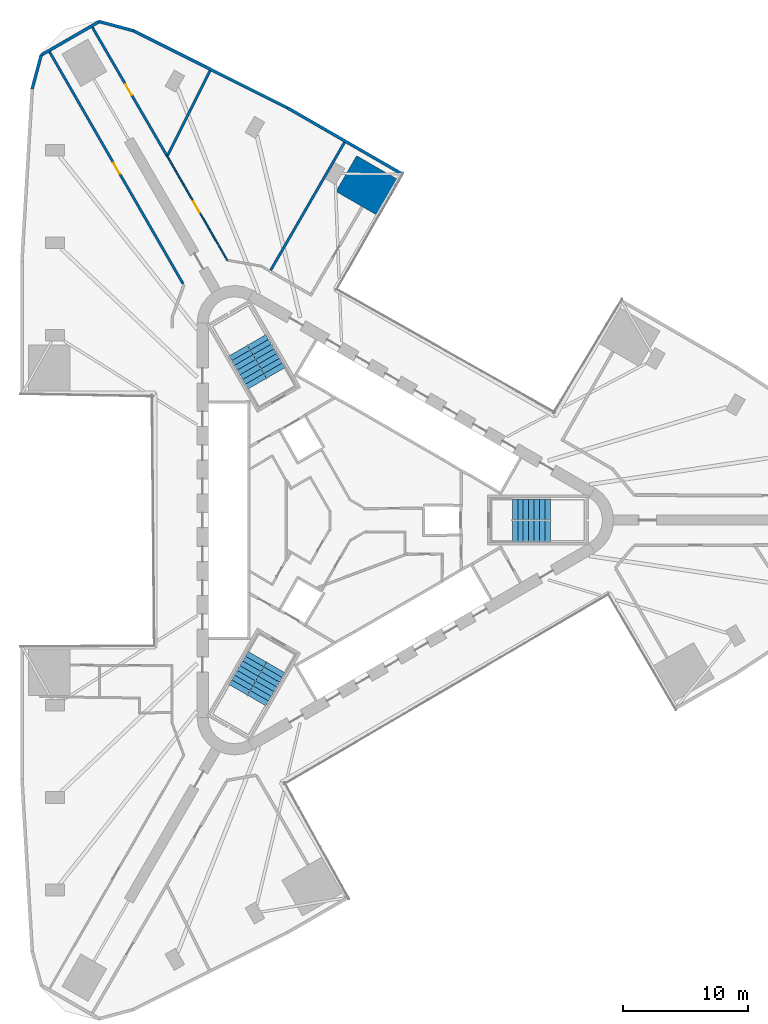
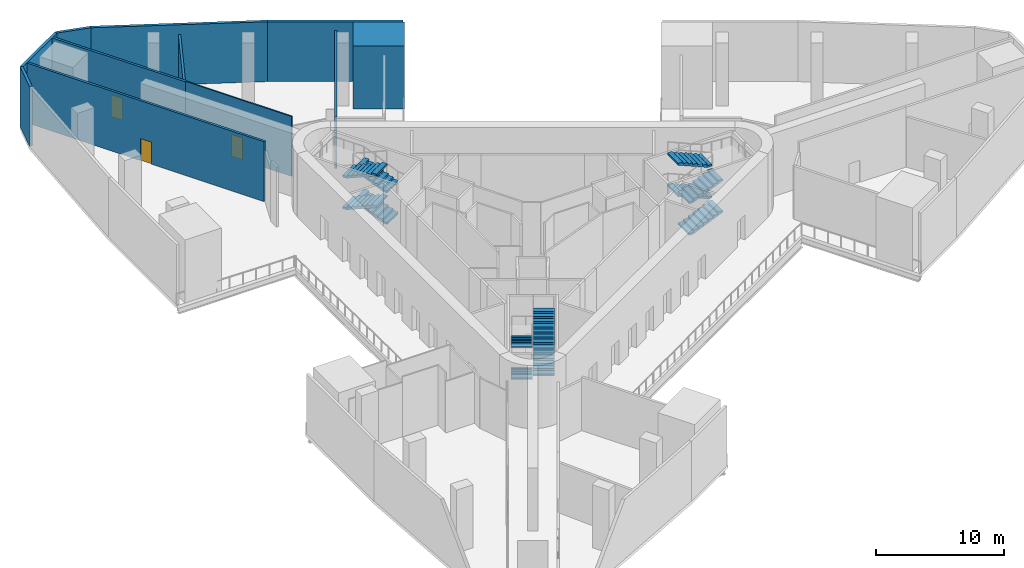
# One storey, part 8 of 11: 12 stair flights, 11 walls, 3 doors, 3 openings, 3 elements without a shape of their own.
"""IFC4 building model written with IfcOpenShell, lengths in metres."""

from ifc_helpers import new_model, si_unit, direction, frame, frame_2d, origin, place, context, subcontext, project, spatial, polyline, rectangle, outline, extrude, material, layer, layer_set, type_object, element, fill, aggregate, save


model = new_model("IFC4")

# Units and contexts
model_context = context("Model", 3, precision=1e-05, world=origin(), true_north=direction((0.0, 1.0)))
body_context = subcontext(model_context, "Body", "Model", "MODEL_VIEW")
ifc_project = project(units=[si_unit("LENGTHUNIT", "METRE"), si_unit("AREAUNIT", "SQUARE_METRE"), si_unit("VOLUMEUNIT", "CUBIC_METRE"), si_unit("PLANEANGLEUNIT", "RADIAN"), si_unit("MASSUNIT", "GRAM", prefix="KILO")], contexts=[model_context])

# Site, building, storey
site_placement = place(None, origin())
site = spatial("IfcSite", under=ifc_project, at=site_placement, CompositionType="ELEMENT")
building_placement = place(site_placement, origin())
building = spatial("IfcBuilding", under=site, at=building_placement, Name="Tanit Gate Tower", CompositionType="ELEMENT")
storey_placement = place(building_placement, frame((0.0, 0.0, 15.5)))
storey = spatial("IfcBuildingStorey", under=building, at=storey_placement, Name="L02", CompositionType="ELEMENT", Elevation=15.5)

# Walls
ifc_material_1 = material(Name="Concrete C30/37 with bronze anodised aluminium cladding", Category="concrete")
ifc_layer_1 = layer(ifc_material_1, 0.239990234375)
ifc_layer_set_1 = layer_set([ifc_layer_1], Name="Facade wall bronze clad 240")
wall_type_1 = type_object("IfcWallType", Name="Facade wall bronze clad 240", PredefinedType="SOLIDWALL", material=ifc_layer_set_1)
wall_1_placement = place(storey_placement, frame((4.2900390625, 27.669677734375, 0.0), z_axis=(0.0, 0.0, 1.0), x_axis=(-0.866062075984, 0.499936476508, 0.0)))
element("IfcWall", 1, at=wall_1_placement, inside=storey, type_object=wall_type_1, Name="Bronze-clad facade wall L02 NE2b", PredefinedType="SOLIDWALL", context=body_context, shape_type="SweptSolid", body=[
    extrude(rectangle(XDim=10.565673828125, YDim=0.239990234375, at=frame_2d((5.28271484375, 0.0))), origin(), (0.0, 0.0, 1.0), 5.699951171875),
])
wall_2_placement = place(storey_placement, frame((-4.860595703125, 32.951904296875, 0.0), z_axis=(0.0, 0.0, 1.0), x_axis=(-0.894285628533, 0.447496608478, 0.0)))
element("IfcWall", 2, at=wall_2_placement, inside=storey, type_object=wall_type_1, Name="Bronze-clad facade wall L02 NE3", PredefinedType="SOLIDWALL", context=body_context, shape_type="SweptSolid", body=[
    extrude(rectangle(XDim=13.80126953125, YDim=0.239990234375, at=frame_2d((6.900634765625, 0.0))), origin(), (0.0, 0.0, 1.0), 5.699951171875),
])
wall_3_placement = place(storey_placement, frame((-17.202880859375, 39.1279296875, 0.0), z_axis=(0.0, 0.0, 1.0), x_axis=(-0.965923146675, 0.25882904535, 0.0)))
element("IfcWall", 3, at=wall_3_placement, inside=storey, type_object=wall_type_1, Name="Bronze-clad facade wall L02 NW.arc1", PredefinedType="SOLIDWALL", context=body_context, shape_type="SweptSolid", body=[
    extrude(rectangle(XDim=2.800537109375, YDim=0.239990234375, at=frame_2d((1.400390625, 0.0))), origin(), (0.0, 0.0, 1.0), 5.699951171875),
])
wall_4_placement = place(storey_placement, frame((-19.907958984375, 39.852783203125, 0.0), z_axis=(0.0, 0.0, 1.0), x_axis=(-0.866010734295, -0.500025407441, 0.0)))
element("IfcWall", 4, at=wall_4_placement, inside=storey, type_object=wall_type_1, Name="Bronze-clad facade wall L02 NW.arc2", PredefinedType="SOLIDWALL", context=body_context, shape_type="SweptSolid", body=[
    extrude(rectangle(XDim=5.371337890625, YDim=0.239990234375, at=frame_2d((2.685546875, 0.0))), origin(), (0.0, 0.0, 1.0), 5.699951171875),
])
wall_5_placement = place(storey_placement, frame((-24.5595703125, 37.1669921875, 0.0), z_axis=(0.0, 0.0, 1.0), x_axis=(-0.258850842196, -0.965917305723, 0.0)))
element("IfcWall", 5, at=wall_5_placement, inside=storey, type_object=wall_type_1, Name="Bronze-clad facade wall L02 NW.arc3", PredefinedType="SOLIDWALL", context=body_context, shape_type="SweptSolid", body=[
    extrude(rectangle(XDim=2.80029296875, YDim=0.239990234375, at=frame_2d((1.400146484375, 0.0))), origin(), (0.0, 0.0, 1.0), 5.699951171875),
])

# Wall, opening, door
ifc_material_2 = material(Name="Fire-rated gypsum board partition")
ifc_layer_2 = layer(ifc_material_2, 0.199951171875)
ifc_layer_set_2 = layer_set([ifc_layer_2], Name="INT-WALL-COMPARTMENT")
wall_type_2 = type_object("IfcWallType", Name="INT-WALL-COMPARTMENT", PredefinedType="PARTITIONING", material=ifc_layer_set_2)
wall_6_placement = place(storey_placement, frame((-13.2216796875, 18.90087890625, 0.0), z_axis=(0.0, 0.0, 1.0), x_axis=(-0.498838585436, 0.866694909227, 0.0)))
wall_6 = element("IfcWall", 6, at=wall_6_placement, inside=storey, type_object=wall_type_2, Name="Wall Compartment W093", PredefinedType="PARTITIONING", context=body_context, shape_type="SweptSolid", body=[
    extrude(rectangle(XDim=21.367919921875, YDim=0.199951171875, at=frame_2d((10.68408203125, 0.0))), origin(), (0.0, 0.0, 1.0), 5.699951171875),
])
opening_1_placement = place(wall_6_placement, frame((10.134033203125, 0.0, 0.0)))
opening_1 = element("IfcOpeningElement", 7, at=opening_1_placement, cuts=wall_6, Name="Opening F10-02-16", PredefinedType="OPENING", context=body_context, shape_type="SweptSolid", body=[
    extrude(rectangle(XDim=1.0, YDim=2.10009765625, at=frame_2d((0.5, 1.050048828125))), frame((0.0, 0.10986328125, 0.0), z_axis=(0.0, -1.0, 0.0), x_axis=(1.0, 0.0, 0.0)), (0.0, 0.0, 1.0), 0.219970703125),
])
ifc_material_3 = material(Name="Fire-rated steel door leaf", Category="steel")
door_type_1 = type_object("IfcDoorType", Name="INT-DOOR-FIRE-1000", OperationType="NOTDEFINED", PredefinedType="USERDEFINED", material=ifc_material_3)
door_1_placement = place(opening_1_placement, origin())
door_1 = element("IfcDoor", 8, at=door_1_placement, inside=storey, type_object=door_type_1, Name="Door F10-02-16", ObjectType="FIRE DOOR", OperationType="SINGLE_SWING_RIGHT", OverallHeight=2.10009765625, OverallWidth=1.0, PredefinedType="USERDEFINED", context=body_context, shape_type="SweptSolid", body=[
    extrude(rectangle(XDim=1.0, YDim=2.10009765625, at=frame_2d((0.5, 1.050048828125))), frame((0.0, 0.02490234375, 0.0), z_axis=(0.0, -1.0, 0.0), x_axis=(1.0, 0.0, 0.0)), (0.0, 0.0, 1.0), 0.050048828125),
])
fill(opening_1, door_1)

wall_7_placement = place(storey_placement, frame((-20.46630859375, 39.391845703125, 0.0), z_axis=(0.0, 0.0, 1.0), x_axis=(0.502069597937, -0.86482721906, 0.0)))
wall_7 = element("IfcWall", 9, at=wall_7_placement, inside=storey, type_object=wall_type_2, Name="Wall Compartment W114", PredefinedType="PARTITIONING", context=body_context, shape_type="SweptSolid", body=[
    extrude(rectangle(XDim=11.972900390625, YDim=0.199951171875, at=frame_2d((5.986328125, 0.0))), origin(), (0.0, 0.0, 1.0), 5.699951171875),
])
opening_2_placement = place(wall_7_placement, frame((5.266845703125, 0.0, 0.0)))
opening_2 = element("IfcOpeningElement", 10, at=opening_2_placement, cuts=wall_7, Name="Opening F10-02-22", PredefinedType="OPENING", context=body_context, shape_type="SweptSolid", body=[
    extrude(rectangle(XDim=1.0, YDim=2.10009765625, at=frame_2d((0.5, 1.050048828125))), frame((0.0, 0.10986328125, 0.0), z_axis=(0.0, -1.0, 0.0), x_axis=(1.0, 0.0, 0.0)), (0.0, 0.0, 1.0), 0.219970703125),
])
door_2_placement = place(opening_2_placement, origin())
door_2 = element("IfcDoor", 11, at=door_2_placement, inside=storey, type_object=door_type_1, Name="Door F10-02-22", ObjectType="FIRE DOOR", OperationType="SINGLE_SWING_RIGHT", OverallHeight=2.10009765625, OverallWidth=1.0, PredefinedType="USERDEFINED", context=body_context, shape_type="SweptSolid", body=[
    extrude(rectangle(XDim=1.0, YDim=2.10009765625, at=frame_2d((0.5, 1.050048828125))), frame((0.0, 0.02490234375, 0.0), z_axis=(0.0, -1.0, 0.0), x_axis=(1.0, 0.0, 0.0)), (0.0, 0.0, 1.0), 0.050048828125),
])
fill(opening_2, door_2)

# Walls
wall_8_placement = place(storey_placement, frame((-6.212158203125, 19.9833984375, 0.0), z_axis=(0.0, 0.0, 1.0), x_axis=(0.499938894435, 0.866060680225, 0.0)))
element("IfcWall", 12, at=wall_8_placement, inside=storey, type_object=wall_type_2, Name="Wall Compartment W115", PredefinedType="PARTITIONING", context=body_context, shape_type="SweptSolid", body=[
    extrude(rectangle(XDim=11.7822265625, YDim=0.199951171875, at=frame_2d((5.89111328125, 0.0))), origin(), (0.0, 0.0, 1.0), 4.8798828125),
])
wall_9_placement = place(storey_placement, frame((-11.060791015625, 35.914794921875, 0.0), z_axis=(0.0, 0.0, 1.0), x_axis=(-0.448736604458, -0.893664064299, 0.0)))
element("IfcWall", 13, at=wall_9_placement, inside=storey, type_object=wall_type_2, Name="Wall Compartment W116", PredefinedType="PARTITIONING", context=body_context, shape_type="SweptSolid", body=[
    extrude(rectangle(XDim=7.56298828125, YDim=0.199951171875, at=frame_2d((3.781494140625, 0.0))), origin(), (0.0, 0.0, 1.0), 4.780029296875),
])

# Wall, opening, door
ifc_material_4 = material(Name="Gypsum board partition")
ifc_layer_3 = layer(ifc_material_4, 0.1201171875)
ifc_layer_set_3 = layer_set([ifc_layer_3], Name="INT-WALL-PARTITION")
wall_type_3 = type_object("IfcWallType", Name="INT-WALL-PARTITION", PredefinedType="PARTITIONING", material=ifc_layer_set_3)
wall_10_placement = place(storey_placement, frame((-14.455322265625, 29.037353515625, 0.0), z_axis=(0.0, 0.0, 1.0), x_axis=(0.500000422144, -0.866025160059, 0.0)))
wall_10 = element("IfcWall", 14, at=wall_10_placement, inside=storey, type_object=wall_type_3, Name="Wall Partition W111", PredefinedType="PARTITIONING", context=body_context, shape_type="SweptSolid", body=[
    extrude(rectangle(XDim=9.55419921875, YDim=0.1201171875, at=frame_2d((4.777099609375, 0.0))), origin(), (0.0, 0.0, 1.0), 5.699951171875),
])
opening_3_placement = place(wall_10_placement, frame((4.126708984375, 0.0, 0.0)))
opening_3 = element("IfcOpeningElement", 15, at=opening_3_placement, cuts=wall_10, Name="Opening D10-02-21", PredefinedType="OPENING", context=body_context, shape_type="SweptSolid", body=[
    extrude(rectangle(XDim=1.0, YDim=2.10009765625, at=frame_2d((0.5, 1.050048828125))), frame((0.0, 0.070068359375, 0.0), z_axis=(0.0, -1.0, 0.0), x_axis=(1.0, 0.0, 0.0)), (0.0, 0.0, 1.0), 0.14013671875),
])
ifc_material_5 = material(Name="Timber door leaf", Category="wood")
door_type_2 = type_object("IfcDoorType", Name="INT-DOOR-SINGLE-1000", OperationType="NOTDEFINED", PredefinedType="NOTDEFINED", material=ifc_material_5)
door_3_placement = place(opening_3_placement, origin())
door_3 = element("IfcDoor", 16, at=door_3_placement, inside=storey, type_object=door_type_2, Name="Door D10-02-21", OperationType="SINGLE_SWING_RIGHT", OverallHeight=2.10009765625, OverallWidth=1.0, PredefinedType="NOTDEFINED", context=body_context, shape_type="SweptSolid", body=[
    extrude(rectangle(XDim=1.0, YDim=2.10009765625, at=frame_2d((0.5, 1.050048828125))), frame((0.0, 0.02490234375, 0.0), z_axis=(0.0, -1.0, 0.0), x_axis=(1.0, 0.0, 0.0)), (0.0, 0.0, 1.0), 0.050048828125),
])
fill(opening_3, door_3)

# Wall
ifc_material_6 = material(Name="Concrete C60/75", Category="concrete")
ifc_layer_4 = layer(ifc_material_6, 4.0)
ifc_layer_set_4 = layer_set([ifc_layer_4], Name="PIER WALL 4000 C60/75")
wall_type_4 = type_object("IfcWallType", Name="PIER WALL 4000 C60/75", PredefinedType="SHEAR", material=ifc_layer_set_4)
wall_11_placement = place(storey_placement, origin())
element("IfcWall", 17, at=wall_11_placement, inside=storey, type_object=wall_type_4, Name="PIER WALL", PredefinedType="SHEAR", context=body_context, shape_type="SweptSolid", body=[
    extrude(outline(polyline([(4.116455078125, 27.1298828125), (0.65234375, 29.1298828125), (-0.99755859375, 26.27197265625), (2.466552734375, 24.27197265625), (4.116455078125, 27.1298828125)])), origin(), (0.0, 0.0, 1.0), 6.0),
])

# Stair, stair flights
ifc_material_7 = material(Name="Concrete C40/50", Category="concrete")
stair_type = type_object("IfcStairType", Name="INT-STAIR-EXIT", PredefinedType="HALF_TURN_STAIR", material=ifc_material_7)
stair_1_placement = place(storey_placement, origin())
stair_1 = element("IfcStair", 18, at=stair_1_placement, inside=storey, type_object=stair_type, Name="L02 STAIR S1", PredefinedType="HALF_TURN_STAIR")
ifc_material_8 = material(Name="Concrete C40/50", Category="concrete")
stair_flight_type = type_object("IfcStairFlightType", Name="INT-STAIR-FLIGHT", PredefinedType="STRAIGHT", material=ifc_material_8)
stair_flight_1_placement = place(storey_placement, frame((13.094970703125, -0.8525390625, 0.0), z_axis=(0.0, 0.0, 1.0), x_axis=(1.0, 0.0, 0.0)))
stair_flight_1 = element("IfcStairFlight", 19, at=stair_flight_1_placement, type_object=stair_flight_type, Name="S1 flight 1", NumberOfRisers=8, NumberOfTreads=7, PredefinedType="STRAIGHT", RiserHeight=0.1875, TreadLength=0.435857143, context=body_context, shape_type="SweptSolid", body=[
    extrude(outline(polyline([(0.0, 0.0), (0.0, 0.1875), (0.435791015625, 0.1875), (0.435791015625, 0.375), (0.871826171875, 0.375), (0.871826171875, 0.5625), (1.3076171875, 0.5625), (1.3076171875, 0.75), (1.743408203125, 0.75), (1.743408203125, 0.9375), (2.17919921875, 0.9375), (2.17919921875, 1.125), (2.615234375, 1.125), (2.615234375, 1.3125), (3.051025390625, 1.3125), (3.051025390625, 1.5), (3.051025390625, 1.1494140625), (0.37939453125, 0.0), (0.0, 0.0)])), frame((0.0, 0.84765625, 0.0), z_axis=(0.0, -1.0, 0.0), x_axis=(1.0, 0.0, 0.0)), (0.0, 0.0, 1.0), 1.695068359375),
])
stair_flight_2_placement = place(storey_placement, frame((16.14599609375, 0.8525390625, 1.5), z_axis=(0.0, 0.0, 1.0), x_axis=(-1.0, 0.0, 0.0)))
stair_flight_2 = element("IfcStairFlight", 20, at=stair_flight_2_placement, type_object=stair_flight_type, Name="S1 flight 2", NumberOfRisers=8, NumberOfTreads=7, PredefinedType="STRAIGHT", RiserHeight=0.1875, TreadLength=0.435857143, context=body_context, shape_type="SweptSolid", body=[
    extrude(outline(polyline([(0.0, 0.0), (0.0, 0.1875), (0.435791015625, 0.1875), (0.435791015625, 0.375), (0.871826171875, 0.375), (0.871826171875, 0.5625), (1.3076171875, 0.5625), (1.3076171875, 0.75), (1.743408203125, 0.75), (1.743408203125, 0.9375), (2.17919921875, 0.9375), (2.17919921875, 1.125), (2.615234375, 1.125), (2.615234375, 1.3125), (3.051025390625, 1.3125), (3.051025390625, 1.5), (3.051025390625, 1.1494140625), (0.37939453125, 0.0), (0.0, 0.0)])), frame((0.0, 0.84765625, 0.0), z_axis=(0.0, -1.0, 0.0), x_axis=(1.0, 0.0, 0.0)), (0.0, 0.0, 1.0), 1.695068359375),
])
stair_flight_3_placement = place(storey_placement, frame((13.094970703125, -0.8525390625, 3.0), z_axis=(0.0, 0.0, 1.0), x_axis=(1.0, 0.0, 0.0)))
stair_flight_3 = element("IfcStairFlight", 21, at=stair_flight_3_placement, type_object=stair_flight_type, Name="S1 flight 3", NumberOfRisers=8, NumberOfTreads=7, PredefinedType="STRAIGHT", RiserHeight=0.1875, TreadLength=0.435857143, context=body_context, shape_type="SweptSolid", body=[
    extrude(outline(polyline([(0.0, 0.0), (0.0, 0.1875), (0.435791015625, 0.1875), (0.435791015625, 0.375), (0.871826171875, 0.375), (0.871826171875, 0.5625), (1.3076171875, 0.5625), (1.3076171875, 0.75), (1.743408203125, 0.75), (1.743408203125, 0.9375), (2.17919921875, 0.9375), (2.17919921875, 1.125), (2.615234375, 1.125), (2.615234375, 1.3125), (3.051025390625, 1.3125), (3.051025390625, 1.5), (3.051025390625, 1.1494140625), (0.37939453125, 0.0), (0.0, 0.0)])), frame((0.0, 0.84765625, 0.0), z_axis=(0.0, -1.0, 0.0), x_axis=(1.0, 0.0, 0.0)), (0.0, 0.0, 1.0), 1.695068359375),
])
stair_flight_4_placement = place(storey_placement, frame((16.14599609375, 0.8525390625, 4.5), z_axis=(0.0, 0.0, 1.0), x_axis=(-1.0, 0.0, 0.0)))
stair_flight_4 = element("IfcStairFlight", 22, at=stair_flight_4_placement, type_object=stair_flight_type, Name="S1 flight 4", NumberOfRisers=8, NumberOfTreads=7, PredefinedType="STRAIGHT", RiserHeight=0.1875, TreadLength=0.435857143, context=body_context, shape_type="SweptSolid", body=[
    extrude(outline(polyline([(0.0, 0.0), (0.0, 0.1875), (0.435791015625, 0.1875), (0.435791015625, 0.375), (0.871826171875, 0.375), (0.871826171875, 0.5625), (1.3076171875, 0.5625), (1.3076171875, 0.75), (1.743408203125, 0.75), (1.743408203125, 0.9375), (2.17919921875, 0.9375), (2.17919921875, 1.125), (2.615234375, 1.125), (2.615234375, 1.3125), (3.051025390625, 1.3125), (3.051025390625, 1.5), (3.051025390625, 1.1494140625), (0.37939453125, 0.0), (0.0, 0.0)])), frame((0.0, 0.84765625, 0.0), z_axis=(0.0, -1.0, 0.0), x_axis=(1.0, 0.0, 0.0)), (0.0, 0.0, 1.0), 1.695068359375),
])
aggregate(stair_1, [stair_flight_1, stair_flight_2, stair_flight_3, stair_flight_4])

stair_2_placement = place(storey_placement, origin())
stair_2 = element("IfcStair", 23, at=stair_2_placement, inside=storey, type_object=stair_type, Name="L02 STAIR S2", PredefinedType="HALF_TURN_STAIR")
stair_flight_5_placement = place(storey_placement, frame((-5.808349609375, 11.766357421875, 0.0), z_axis=(0.0, 0.0, 1.0), x_axis=(-0.5, 0.866025403784, 0.0)))
stair_flight_5 = element("IfcStairFlight", 24, at=stair_flight_5_placement, type_object=stair_flight_type, Name="S2 flight 1", NumberOfRisers=8, NumberOfTreads=7, PredefinedType="STRAIGHT", RiserHeight=0.1875, TreadLength=0.4356, context=body_context, shape_type="SweptSolid", body=[
    extrude(outline(polyline([(0.0, 0.0), (0.0, 0.1875), (0.435546875, 0.1875), (0.435546875, 0.375), (0.87109375, 0.375), (0.87109375, 0.5625), (1.306884765625, 0.5625), (1.306884765625, 0.75), (1.742431640625, 0.75), (1.742431640625, 0.9375), (2.177978515625, 0.9375), (2.177978515625, 1.125), (2.613525390625, 1.125), (2.613525390625, 1.3125), (3.04931640625, 1.3125), (3.04931640625, 1.5), (3.04931640625, 1.1494140625), (0.379150390625, 0.0), (0.0, 0.0)])), frame((0.0, 0.84716796875, 0.0), z_axis=(0.0, -1.0, 0.0), x_axis=(1.0, 0.0, 0.0)), (0.0, 0.0, 1.0), 1.694091796875),
])
stair_flight_6_placement = place(storey_placement, frame((-8.810302734375, 13.553955078125, 1.5), z_axis=(0.0, 0.0, 1.0), x_axis=(0.5, -0.866025403784, 0.0)))
stair_flight_6 = element("IfcStairFlight", 25, at=stair_flight_6_placement, type_object=stair_flight_type, Name="S2 flight 2", NumberOfRisers=8, NumberOfTreads=7, PredefinedType="STRAIGHT", RiserHeight=0.1875, TreadLength=0.4356, context=body_context, shape_type="SweptSolid", body=[
    extrude(outline(polyline([(0.0, 0.0), (0.0, 0.1875), (0.435546875, 0.1875), (0.435546875, 0.375), (0.87109375, 0.375), (0.87109375, 0.5625), (1.306884765625, 0.5625), (1.306884765625, 0.75), (1.742431640625, 0.75), (1.742431640625, 0.9375), (2.177978515625, 0.9375), (2.177978515625, 1.125), (2.613525390625, 1.125), (2.613525390625, 1.3125), (3.04931640625, 1.3125), (3.04931640625, 1.5), (3.04931640625, 1.1494140625), (0.379150390625, 0.0), (0.0, 0.0)])), frame((0.0, 0.84716796875, 0.0), z_axis=(0.0, -1.0, 0.0), x_axis=(1.0, 0.0, 0.0)), (0.0, 0.0, 1.0), 1.694091796875),
])
stair_flight_7_placement = place(storey_placement, frame((-5.808349609375, 11.766357421875, 3.0), z_axis=(0.0, 0.0, 1.0), x_axis=(-0.5, 0.866025403784, 0.0)))
stair_flight_7 = element("IfcStairFlight", 26, at=stair_flight_7_placement, type_object=stair_flight_type, Name="S2 flight 3", NumberOfRisers=8, NumberOfTreads=7, PredefinedType="STRAIGHT", RiserHeight=0.1875, TreadLength=0.4356, context=body_context, shape_type="SweptSolid", body=[
    extrude(outline(polyline([(0.0, 0.0), (0.0, 0.1875), (0.435546875, 0.1875), (0.435546875, 0.375), (0.87109375, 0.375), (0.87109375, 0.5625), (1.306884765625, 0.5625), (1.306884765625, 0.75), (1.742431640625, 0.75), (1.742431640625, 0.9375), (2.177978515625, 0.9375), (2.177978515625, 1.125), (2.613525390625, 1.125), (2.613525390625, 1.3125), (3.04931640625, 1.3125), (3.04931640625, 1.5), (3.04931640625, 1.1494140625), (0.379150390625, 0.0), (0.0, 0.0)])), frame((0.0, 0.84716796875, 0.0), z_axis=(0.0, -1.0, 0.0), x_axis=(1.0, 0.0, 0.0)), (0.0, 0.0, 1.0), 1.694091796875),
])
stair_flight_8_placement = place(storey_placement, frame((-8.810302734375, 13.553955078125, 4.5), z_axis=(0.0, 0.0, 1.0), x_axis=(0.5, -0.866025403784, 0.0)))
stair_flight_8 = element("IfcStairFlight", 27, at=stair_flight_8_placement, type_object=stair_flight_type, Name="S2 flight 4", NumberOfRisers=8, NumberOfTreads=7, PredefinedType="STRAIGHT", RiserHeight=0.1875, TreadLength=0.4356, context=body_context, shape_type="SweptSolid", body=[
    extrude(outline(polyline([(0.0, 0.0), (0.0, 0.1875), (0.435546875, 0.1875), (0.435546875, 0.375), (0.87109375, 0.375), (0.87109375, 0.5625), (1.306884765625, 0.5625), (1.306884765625, 0.75), (1.742431640625, 0.75), (1.742431640625, 0.9375), (2.177978515625, 0.9375), (2.177978515625, 1.125), (2.613525390625, 1.125), (2.613525390625, 1.3125), (3.04931640625, 1.3125), (3.04931640625, 1.5), (3.04931640625, 1.1494140625), (0.379150390625, 0.0), (0.0, 0.0)])), frame((0.0, 0.84716796875, 0.0), z_axis=(0.0, -1.0, 0.0), x_axis=(1.0, 0.0, 0.0)), (0.0, 0.0, 1.0), 1.694091796875),
])
aggregate(stair_2, [stair_flight_5, stair_flight_6, stair_flight_7, stair_flight_8])

stair_3_placement = place(storey_placement, origin())
stair_3 = element("IfcStair", 28, at=stair_3_placement, inside=storey, type_object=stair_type, Name="L02 STAIR S3", PredefinedType="HALF_TURN_STAIR")
stair_flight_9_placement = place(storey_placement, frame((-7.285888671875, -10.914306640625, 0.0), z_axis=(0.0, 0.0, 1.0), x_axis=(-0.5, -0.866025403784, 0.0)))
stair_flight_9 = element("IfcStairFlight", 29, at=stair_flight_9_placement, type_object=stair_flight_type, Name="S3 flight 1", NumberOfRisers=8, NumberOfTreads=7, PredefinedType="STRAIGHT", RiserHeight=0.1875, TreadLength=0.435857143, context=body_context, shape_type="SweptSolid", body=[
    extrude(outline(polyline([(0.0, 0.0), (0.0, 0.1875), (0.435791015625, 0.1875), (0.435791015625, 0.375), (0.871826171875, 0.375), (0.871826171875, 0.5625), (1.3076171875, 0.5625), (1.3076171875, 0.75), (1.743408203125, 0.75), (1.743408203125, 0.9375), (2.17919921875, 0.9375), (2.17919921875, 1.125), (2.615234375, 1.125), (2.615234375, 1.3125), (3.051025390625, 1.3125), (3.051025390625, 1.5), (3.051025390625, 1.1494140625), (0.37939453125, 0.0), (0.0, 0.0)])), frame((0.0, 0.84765625, 0.0), z_axis=(0.0, -1.0, 0.0), x_axis=(1.0, 0.0, 0.0)), (0.0, 0.0, 1.0), 1.695068359375),
])
stair_flight_10_placement = place(storey_placement, frame((-7.334716796875, -14.4091796875, 1.5), z_axis=(0.0, 0.0, 1.0), x_axis=(0.5, 0.866025403784, 0.0)))
stair_flight_10 = element("IfcStairFlight", 30, at=stair_flight_10_placement, type_object=stair_flight_type, Name="S3 flight 2", NumberOfRisers=8, NumberOfTreads=7, PredefinedType="STRAIGHT", RiserHeight=0.1875, TreadLength=0.435857143, context=body_context, shape_type="SweptSolid", body=[
    extrude(outline(polyline([(0.0, 0.0), (0.0, 0.1875), (0.435791015625, 0.1875), (0.435791015625, 0.375), (0.871826171875, 0.375), (0.871826171875, 0.5625), (1.3076171875, 0.5625), (1.3076171875, 0.75), (1.743408203125, 0.75), (1.743408203125, 0.9375), (2.17919921875, 0.9375), (2.17919921875, 1.125), (2.615234375, 1.125), (2.615234375, 1.3125), (3.051025390625, 1.3125), (3.051025390625, 1.5), (3.051025390625, 1.1494140625), (0.37939453125, 0.0), (0.0, 0.0)])), frame((0.0, 0.84765625, 0.0), z_axis=(0.0, -1.0, 0.0), x_axis=(1.0, 0.0, 0.0)), (0.0, 0.0, 1.0), 1.695068359375),
])
stair_flight_11_placement = place(storey_placement, frame((-7.285888671875, -10.914306640625, 3.0), z_axis=(0.0, 0.0, 1.0), x_axis=(-0.5, -0.866025403784, 0.0)))
stair_flight_11 = element("IfcStairFlight", 31, at=stair_flight_11_placement, type_object=stair_flight_type, Name="S3 flight 3", NumberOfRisers=8, NumberOfTreads=7, PredefinedType="STRAIGHT", RiserHeight=0.1875, TreadLength=0.435857143, context=body_context, shape_type="SweptSolid", body=[
    extrude(outline(polyline([(0.0, 0.0), (0.0, 0.1875), (0.435791015625, 0.1875), (0.435791015625, 0.375), (0.871826171875, 0.375), (0.871826171875, 0.5625), (1.3076171875, 0.5625), (1.3076171875, 0.75), (1.743408203125, 0.75), (1.743408203125, 0.9375), (2.17919921875, 0.9375), (2.17919921875, 1.125), (2.615234375, 1.125), (2.615234375, 1.3125), (3.051025390625, 1.3125), (3.051025390625, 1.5), (3.051025390625, 1.1494140625), (0.37939453125, 0.0), (0.0, 0.0)])), frame((0.0, 0.84765625, 0.0), z_axis=(0.0, -1.0, 0.0), x_axis=(1.0, 0.0, 0.0)), (0.0, 0.0, 1.0), 1.695068359375),
])
stair_flight_12_placement = place(storey_placement, frame((-7.334716796875, -14.4091796875, 4.5), z_axis=(0.0, 0.0, 1.0), x_axis=(0.5, 0.866025403784, 0.0)))
stair_flight_12 = element("IfcStairFlight", 32, at=stair_flight_12_placement, type_object=stair_flight_type, Name="S3 flight 4", NumberOfRisers=8, NumberOfTreads=7, PredefinedType="STRAIGHT", RiserHeight=0.1875, TreadLength=0.435857143, context=body_context, shape_type="SweptSolid", body=[
    extrude(outline(polyline([(0.0, 0.0), (0.0, 0.1875), (0.435791015625, 0.1875), (0.435791015625, 0.375), (0.871826171875, 0.375), (0.871826171875, 0.5625), (1.3076171875, 0.5625), (1.3076171875, 0.75), (1.743408203125, 0.75), (1.743408203125, 0.9375), (2.17919921875, 0.9375), (2.17919921875, 1.125), (2.615234375, 1.125), (2.615234375, 1.3125), (3.051025390625, 1.3125), (3.051025390625, 1.5), (3.051025390625, 1.1494140625), (0.37939453125, 0.0), (0.0, 0.0)])), frame((0.0, 0.84765625, 0.0), z_axis=(0.0, -1.0, 0.0), x_axis=(1.0, 0.0, 0.0)), (0.0, 0.0, 1.0), 1.695068359375),
])
aggregate(stair_3, [stair_flight_9, stair_flight_10, stair_flight_11, stair_flight_12])

save(model, "model.ifc")
